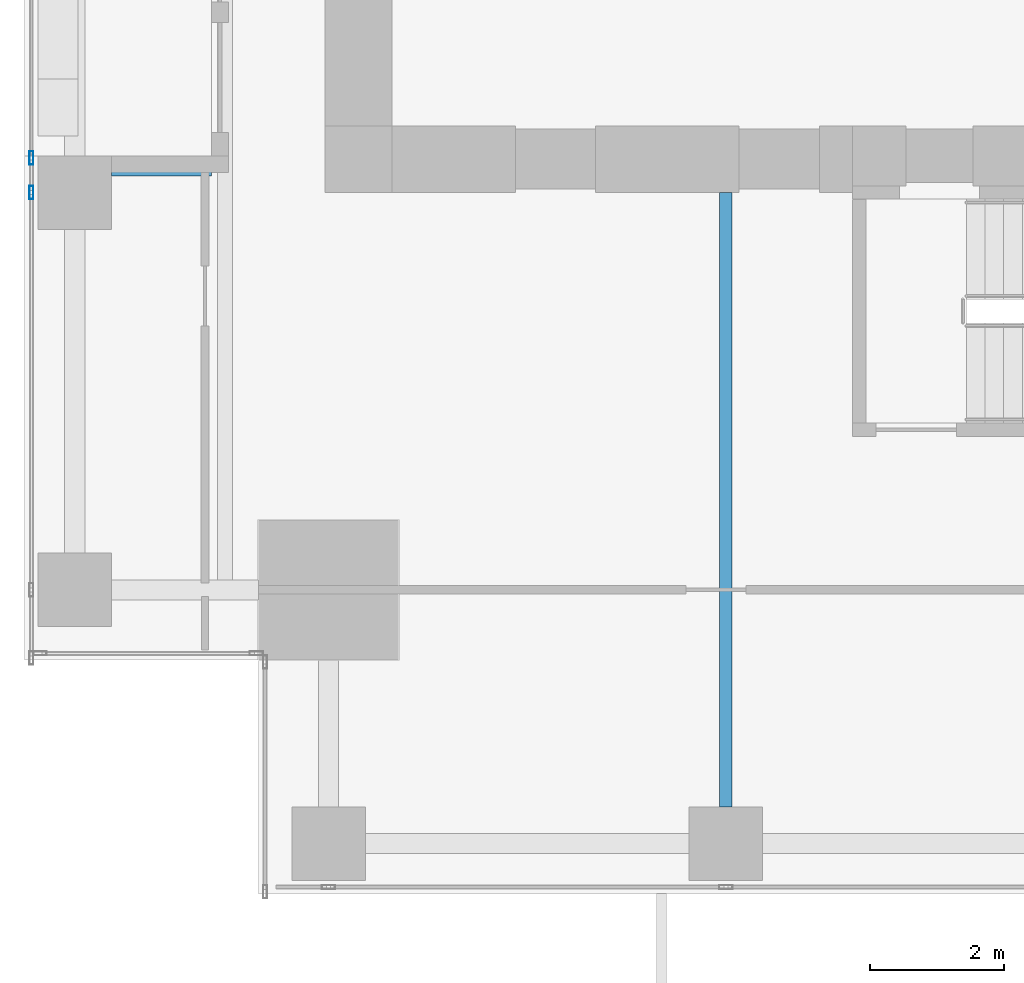
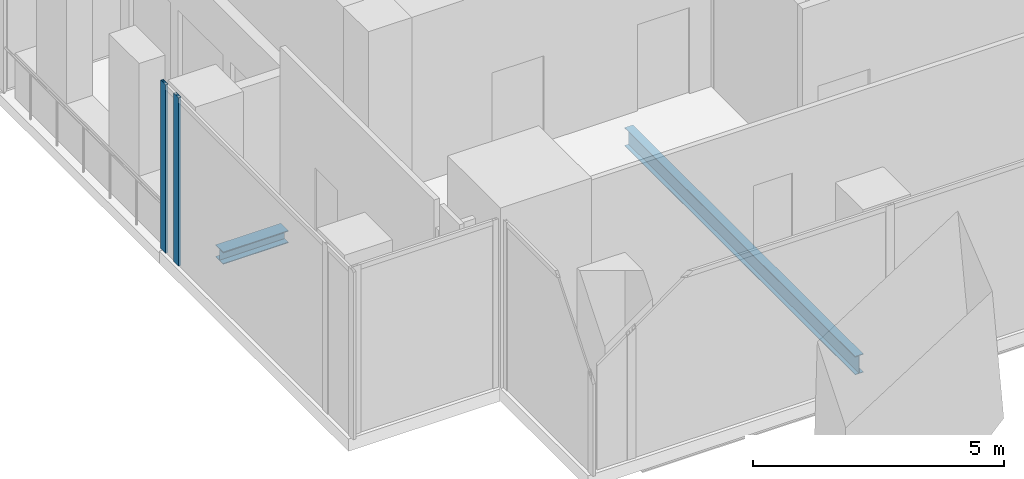
# One storey, part 4 of 35: 2 beams, 2 members, 1 element without a shape of its own.
"""IFC4 building model written with IfcOpenShell, lengths in metres."""

from ifc_helpers import new_model, si_unit, direction, frame, origin, origin_2d, place, context, subcontext, project, spatial, hollow_rectangle, i_section, extrude, source, transform, mapped, material, material_profile, profile_set, type_object, element, aggregate, save


model = new_model("IFC4")

# Units and contexts
model_context = context("Model", 3, precision=1e-05, world=origin(), true_north=direction((0.0, 1.0)))
body_context = subcontext(model_context, "Body", "Model", "MODEL_VIEW")
ifc_project = project(units=[si_unit("LENGTHUNIT", "METRE"), si_unit("AREAUNIT", "SQUARE_METRE"), si_unit("VOLUMEUNIT", "CUBIC_METRE"), si_unit("PLANEANGLEUNIT", "RADIAN"), si_unit("MASSUNIT", "GRAM", prefix="KILO")], contexts=[model_context])

# Site, building, storey
site_placement = place(None, origin())
site = spatial("IfcSite", under=ifc_project, at=site_placement, CompositionType="ELEMENT")
building_placement = place(site_placement, origin())
building = spatial("IfcBuilding", under=site, at=building_placement, Name="Khomas Fold Tower", CompositionType="ELEMENT")
storey_placement = place(building_placement, frame((0.0, 0.0, 119.10009765625)))
storey = spatial("IfcBuildingStorey", under=building, at=storey_placement, Name="L25", CompositionType="ELEMENT", Elevation=119.10009765625)

# Beams
ifc_material_1 = material(Name="Steel S355", Category="steel")
ifc_material_profile_1 = material_profile(ifc_material_1, i_section(OverallWidth=0.18994140625, OverallDepth=0.449951171875, WebThickness=0.009521484375, FlangeThickness=0.0146484375, at=origin_2d()), Name="IPE 450")
ifc_profile_set_1 = profile_set([ifc_material_profile_1], Name="Steel S355")
beam_type_1 = type_object("IfcBeamType", Name="IPE 450 beam JB4", PredefinedType="BEAM", material=ifc_profile_set_1)
shared_shape_1 = source(origin(), body_context, "Body", "SweptSolid", [
    extrude(i_section(OverallWidth=0.18994140625, OverallDepth=0.449951171875, WebThickness=0.009521484375, FlangeThickness=0.0146484375, at=origin_2d()), origin(), (0.0, 0.0, 1.0), 9.199951171875),
])
beam_1_placement = place(storey_placement, frame((12.0, 2.800048828125, -0.525146484375), z_axis=(0.0, 1.0, 0.0), x_axis=(-1.0, 0.0, 0.0)))
element("IfcBeam", 1, at=beam_1_placement, inside=storey, type_object=beam_type_1, Name="JB4", PredefinedType="BEAM", context=body_context, shape_type="MappedRepresentation", body=[
    mapped(shared_shape_1, transform((0.0, 0.0, 0.0))),
])
ifc_material_2 = material(Name="Steel S355", Category="steel")
ifc_material_profile_2 = material_profile(ifc_material_2, i_section(OverallWidth=0.300048828125, OverallDepth=0.300048828125, WebThickness=0.010986328125, FlangeThickness=0.01904296875, at=origin_2d()), Name="HE 300 B")
ifc_profile_set_2 = profile_set([ifc_material_profile_2], Name="Steel S355")
beam_type_2 = type_object("IfcBeamType", Name="HE 300 B beam BB1", PredefinedType="BEAM", material=ifc_profile_set_2)
shared_shape_2 = source(origin(), body_context, "Body", "SweptSolid", [
    extrude(i_section(OverallWidth=0.300048828125, OverallDepth=0.300048828125, WebThickness=0.010986328125, FlangeThickness=0.01904296875, at=origin_2d()), origin(), (0.0, 0.0, 1.0), 1.5),
])
beam_2_placement = place(storey_placement, frame((2.800048828125, 12.39990234375, -0.4501953125), z_axis=(1.0, 0.0, 0.0), x_axis=(0.0, 1.0, 0.0)))
element("IfcBeam", 2, at=beam_2_placement, inside=storey, type_object=beam_type_2, Name="BB1", PredefinedType="BEAM", context=body_context, shape_type="MappedRepresentation", body=[
    mapped(shared_shape_2, transform((0.0, 0.0, 0.0))),
])

# Curtain wall, members
ifc_material_3 = material(Name="Aluminium framed double glazing", Category="aluminium")
curtain_wall_type = type_object("IfcCurtainWallType", Name="SK-Unitised clear-glass wall, growing floors CW1", PredefinedType="NOTDEFINED", material=ifc_material_3)
curtain_wall_placement = place(storey_placement, origin())
curtain_wall = element("IfcCurtainWall", 3, at=curtain_wall_placement, inside=storey, type_object=curtain_wall_type, Name="CW1 run L25 09-1", PredefinedType="NOTDEFINED")
ifc_material_4 = material(Name="Aluminium", Category="aluminium")
ifc_material_profile_3 = material_profile(ifc_material_4, hollow_rectangle(XDim=0.06005859375, YDim=0.199951171875, WallThickness=0.00390625, at=origin_2d()), Name="SK-Unitised clear-glass wall, growing floors mullion CW1-M")
ifc_profile_set_3 = profile_set([ifc_material_profile_3], Name="Aluminium")
member_type = type_object("IfcMemberType", Name="SK-Unitised clear-glass wall, growing floors mullion CW1-M", PredefinedType="MULLION", material=ifc_profile_set_3)
shared_shape_3 = source(origin(), body_context, "Body", "SweptSolid", [
    extrude(hollow_rectangle(XDim=0.06005859375, YDim=0.199951171875, WallThickness=0.00390625, at=origin_2d()), origin(), (0.0, 0.0, 1.0), 4.099853515625),
])
member_1_placement = place(storey_placement, frame((1.60009765625, 12.52001953125, 0.0), z_axis=(0.0, 0.0, 1.0), x_axis=(1.0, 0.0, 0.0)))
member_1 = element("IfcMember", 4, at=member_1_placement, type_object=member_type, Name="CW1 mullion 1", PredefinedType="MULLION", context=body_context, shape_type="MappedRepresentation", body=[
    mapped(shared_shape_3, transform((0.0, 0.0, 0.0))),
])
member_2_placement = place(storey_placement, frame((1.60009765625, 12.0, 0.0), z_axis=(0.0, 0.0, 1.0), x_axis=(1.0, 0.0, 0.0)))
member_2 = element("IfcMember", 5, at=member_2_placement, type_object=member_type, Name="CW1 mullion 2", PredefinedType="MULLION", context=body_context, shape_type="MappedRepresentation", body=[
    mapped(shared_shape_3, transform((0.0, 0.0, 0.0))),
])
aggregate(curtain_wall, [member_1, member_2])

save(model, "model.ifc")
